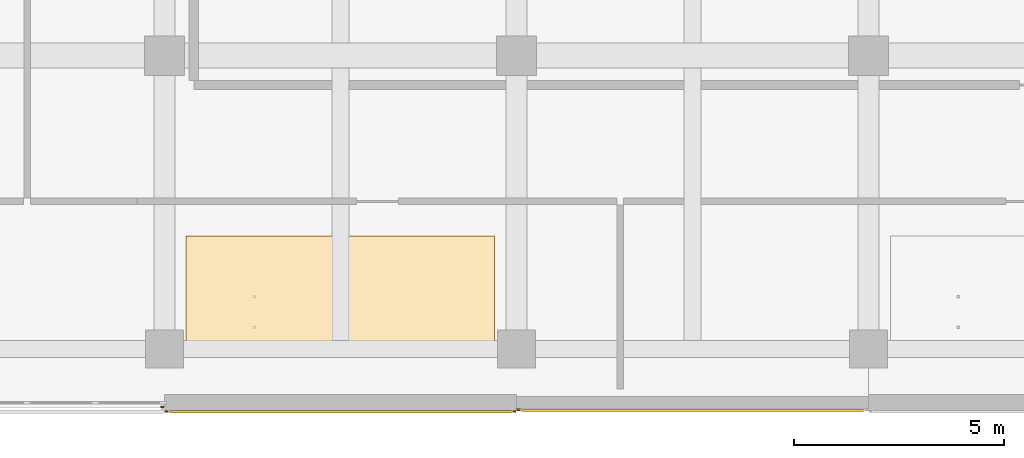
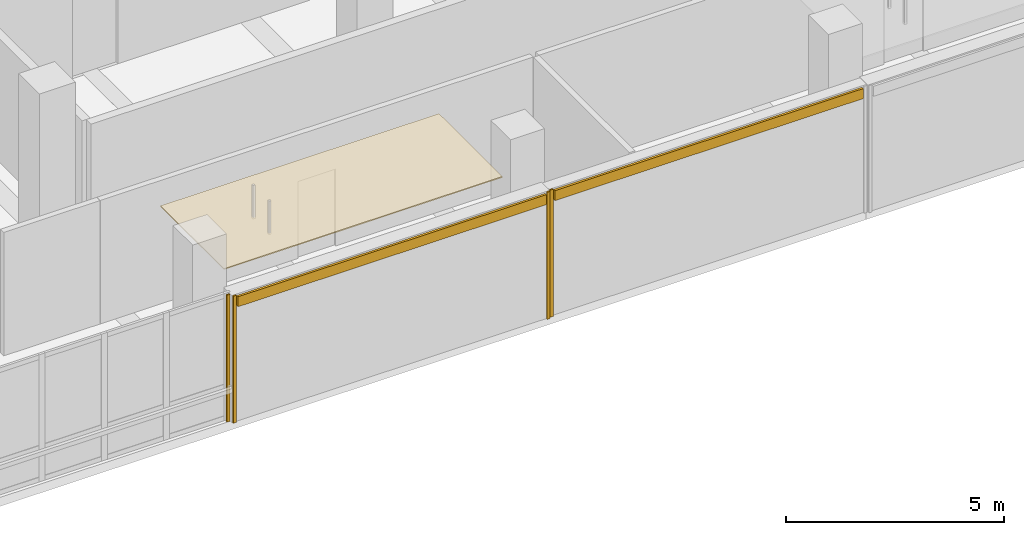
# One storey, part 43 of 59: 7 coverings.
"""IFC4 building model written with IfcOpenShell, lengths in metres."""

from ifc_helpers import new_model, si_unit, direction, frame, origin, origin_2d, place, context, subcontext, project, spatial, polyline, rectangle, outline, extrude, material, layer, layer_set, type_object, element, save


model = new_model("IFC4")

# Units and contexts
model_context = context("Model", 3, precision=1e-05, world=origin(), true_north=direction((0.0, 1.0)))
body_context = subcontext(model_context, "Body", "Model", "MODEL_VIEW")
ifc_project = project(units=[si_unit("LENGTHUNIT", "METRE"), si_unit("AREAUNIT", "SQUARE_METRE"), si_unit("VOLUMEUNIT", "CUBIC_METRE"), si_unit("PLANEANGLEUNIT", "RADIAN"), si_unit("MASSUNIT", "GRAM", prefix="KILO")], contexts=[model_context])

# Site, building, storey
site_placement = place(None, origin())
site = spatial("IfcSite", under=ifc_project, at=site_placement, CompositionType="ELEMENT")
building_placement = place(site_placement, origin())
building = spatial("IfcBuilding", under=site, at=building_placement, Name="Telukmera Botanical Conservatory", CompositionType="ELEMENT")
storey_placement = place(building_placement, frame((0.0, 0.0, 15.0)))
storey = spatial("IfcBuildingStorey", under=building, at=storey_placement, Name="L03", CompositionType="ELEMENT", Elevation=15.0)

# Coverings
ifc_material_1 = material(Name="Mineral fibre acoustic ceiling")
ifc_layer_1 = layer(ifc_material_1, 0.030029296875)
ifc_layer_set_1 = layer_set([ifc_layer_1], Name="Mineral fibre acoustic ceiling")
covering_type_1 = type_object("IfcCoveringType", Name="COV-CEIL-30", PredefinedType="CEILING", material=ifc_layer_set_1)
covering_placement = place(storey_placement, frame((0.0, 0.0, 3.320068359375)))
element("IfcCovering", 1, at=covering_placement, inside=storey, type_object=covering_type_1, Name="L03 Herbarium Curation Studio Suspended Acoustic Ceiling", PredefinedType="CEILING", context=body_context, shape_type="SweptSolid", body=[
    extrude(outline(polyline([(59.320068359375, 10.39990234375), (66.679931640625, 10.39990234375), (66.679931640625, 13.300048828125), (59.320068359375, 13.300048828125), (59.320068359375, 10.39990234375)])), origin(), (0.0, 0.0, 1.0), 0.030029296875),
])
ifc_material_2 = material(Name="Granite-faced precast concrete C40/50", Category="masonry")
ifc_layer_2 = layer(ifc_material_2, 0.0400390625)
ifc_layer_set_2 = layer_set([ifc_layer_2], Name="Granite-faced precast concrete C40/50")
covering_type_2 = type_object("IfcCoveringType", Name="Granite Precast Column Pier Reveal Casing", PredefinedType="CLADDING", material=ifc_layer_set_2)
for number, where, z_axis, x_axis, name in (
    (2, (58.748046875, 9.219970703125, 0.0), (0.0, 0.0, 1.0), (1.0, 0.0, 0.0), "Granite Pier Reveal V4:L03:S1 R"),
    (3, (58.85205078125, 9.110107421875, 0.0), (0.0, 0.0, 1.0), (1.0, 0.0, 0.0), "Granite Pier Reveal V4:L03:S2 L"),
    (4, (67.14794921875, 9.110107421875, 0.0), (0.0, 0.0, 1.0), (1.0, 0.0, 0.0), "Granite Pier Reveal V4:L03:S2 R"),
    (5, (67.251953125, 9.14990234375, 0.0), (0.0, 0.0, 1.0), (1.0, 0.0, 0.0), "Granite Pier Reveal V4:L03:S3 L"),
):
    element("IfcCovering", number, at=place(storey_placement, frame(where, z_axis=z_axis, x_axis=x_axis)), inside=storey, type_object=covering_type_2, Name=name, PredefinedType="CLADDING", context=body_context, shape_type="SweptSolid", body=[
        extrude(rectangle(XDim=0.080078125, YDim=0.0400390625, at=origin_2d()), origin(), (0.0, 0.0, 1.0), 3.550048828125),
    ])
ifc_material_3 = material(Name="Terracotta-faced precast concrete C40/50", Category="masonry")
ifc_layer_3 = layer(ifc_material_3, 0.06005859375)
ifc_layer_set_3 = layer_set([ifc_layer_3], Name="Terracotta-faced precast concrete C40/50")
covering_type_3 = type_object("IfcCoveringType", Name="Polychrome Terracotta Facade Band Cladding", PredefinedType="CLADDING", material=ifc_layer_set_3)
for number, where, z_axis, x_axis, name in (
    (6, (63.0, 9.10009765625, 3.22998046875), (0.0, 0.0, 1.0), (1.0, 0.0, 0.0), "Polychrome Terracotta Band V4:L03:S2"),
    (7, (71.39990234375, 9.139892578125, 3.22998046875), (0.0, 0.0, 1.0), (1.0, 0.0, 0.0), "Polychrome Terracotta Band V4:L03:S3"),
):
    element("IfcCovering", number, at=place(storey_placement, frame(where, z_axis=z_axis, x_axis=x_axis)), inside=storey, type_object=covering_type_3, Name=name, PredefinedType="CLADDING", context=body_context, shape_type="SweptSolid", body=[
        extrude(rectangle(XDim=8.156005859375, YDim=0.06005859375, at=origin_2d()), origin(), (0.0, 0.0, 1.0), 0.280029296875),
    ])

save(model, "model.ifc")
